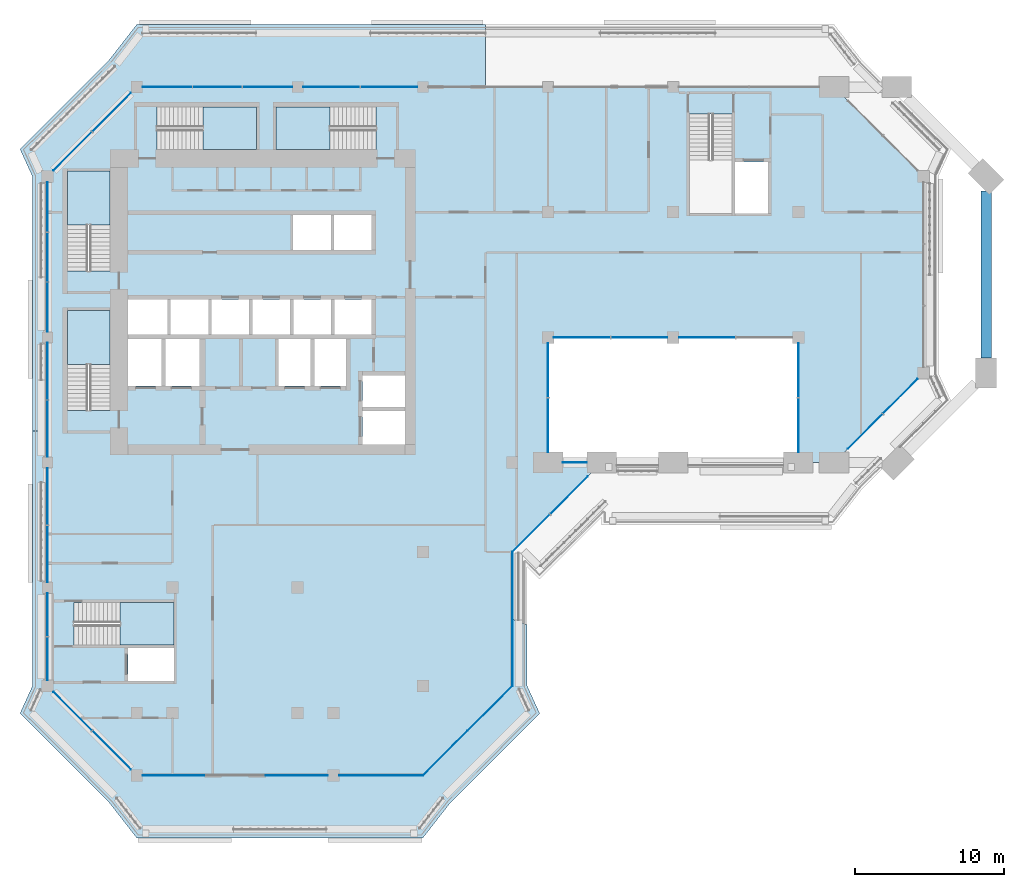
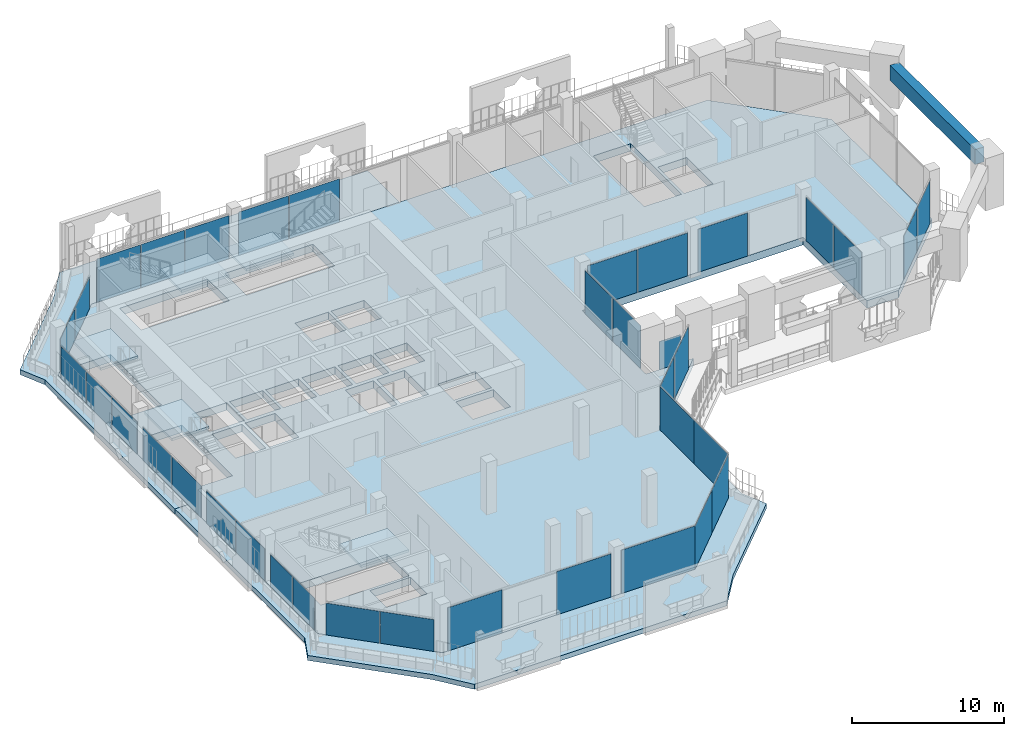
# One storey, part 9 of 23: 37 plates, 8 slabs, 1 beam, 18 elements without a shape of their own.
"""IFC4 building model written with IfcOpenShell, lengths in metres."""

import ifcopenshell
import ifcopenshell.guid

model = None  # the IFC model being written
_history = None  # IfcOwnerHistory: only IFC2X3 demands one
_inside = {}  # id of a spatial element -> (the spatial element, [elements in it])
_under = {}  # id of a project, library or spatial element -> (it, [spatial elements below it])
_declared = {}  # id of a project -> (the project, [libraries it declares])
_typed = {}  # id of a type object -> (the type object, [elements of that type])
_made_of = {}  # id of a material, layer set ... -> (it, [elements and type objects made of it])


def new_model(schema):
    """Start an empty IFC model of exactly this schema.

    Asked for "IFC4X3", IfcOpenShell would pick the latest addendum, in which some entities
    have other attributes; the version numbers below select the first issue.
    IFC2X3 requires an IfcOwnerHistory on every rooted entity: one is made here for all.
    """
    global model, _history
    if schema == "IFC4X3":
        model = ifcopenshell.file(schema_version=(4, 3, 0, 0))
    else:
        model = ifcopenshell.file(schema=schema)
    _inside.clear()
    _under.clear()
    _declared.clear()
    _typed.clear()
    _made_of.clear()
    _history = None
    if model.schema == "IFC2X3":
        org = make("IfcOrganization", Name="unknown")
        user = make(
            "IfcPersonAndOrganization",
            ThePerson=make("IfcPerson", FamilyName="unknown"),
            TheOrganization=org,
        )
        app = make(
            "IfcApplication",
            ApplicationDeveloper=org,
            Version="unknown",
            ApplicationFullName="unknown",
            ApplicationIdentifier="unknown",
        )
        _history = make(
            "IfcOwnerHistory",
            OwningUser=user,
            OwningApplication=app,
            ChangeAction="ADDED",
            CreationDate=0,
        )
    return model


def make(cls, **values):
    """One entity of the class cls with the attributes given. An attribute that is None is left unset."""
    return model.create_entity(
        cls, **{name: value for name, value in values.items() if value is not None}
    )


def rooted(cls, **values):
    """An entity with a GlobalId (a new one), such as an element, a storey or a relation."""
    return make(cls, GlobalId=ifcopenshell.guid.new(), OwnerHistory=_history, **values)


def si_unit(unit_type, name, prefix=None):
    """IfcSIUnit, for example si_unit("LENGTHUNIT", "METRE", prefix="MILLI")."""
    return make("IfcSIUnit", UnitType=unit_type, Prefix=prefix, Name=name)


def assignment(units):
    """IfcUnitAssignment: the units of a project."""
    return None if units is None else make("IfcUnitAssignment", Units=units)


def point(xyz):
    """IfcCartesianPoint."""
    return None if xyz is None else make("IfcCartesianPoint", Coordinates=xyz)


def direction(xyz):
    """IfcDirection."""
    return None if xyz is None else make("IfcDirection", DirectionRatios=xyz)


def frame(location, z_axis=None, x_axis=None):
    """IfcAxis2Placement3D, a coordinate frame: its origin and axes. An axis left out is left unset."""
    return make(
        "IfcAxis2Placement3D",
        Location=point(location),
        Axis=direction(z_axis),
        RefDirection=direction(x_axis),
    )


def frame_2d(location, x_axis=None):
    """IfcAxis2Placement2D, a coordinate frame in the plane: its origin and x axis."""
    return make(
        "IfcAxis2Placement2D", Location=point(location), RefDirection=direction(x_axis)
    )


def origin():
    """The frame at (0, 0, 0) with its axes left unset."""
    return frame((0.0, 0.0, 0.0))


def origin_2d():
    """The frame at (0, 0) in the plane with its x axis left unset."""
    return frame_2d((0.0, 0.0))


def place(relative_to, where):
    """IfcLocalPlacement: puts the frame where relative to a parent placement (None: the world)."""
    return make(
        "IfcLocalPlacement", PlacementRelTo=relative_to, RelativePlacement=where
    )


def context(
    kind, dimensions, precision=None, world=None, true_north=None, identifier=None
):
    """IfcGeometricRepresentationContext, for example the 3D "Model" context."""
    return make(
        "IfcGeometricRepresentationContext",
        ContextIdentifier=identifier,
        ContextType=kind,
        CoordinateSpaceDimension=dimensions,
        Precision=precision,
        WorldCoordinateSystem=world,
        TrueNorth=true_north,
    )


def subcontext(parent, identifier, kind, view, scale=None):
    """IfcGeometricRepresentationSubContext, for example "Body" below "Model"."""
    return make(
        "IfcGeometricRepresentationSubContext",
        ContextIdentifier=identifier,
        ContextType=kind,
        ParentContext=parent,
        TargetScale=scale,
        TargetView=view,
    )


def project(units=None, contexts=None):
    """IfcProject with its units and contexts."""
    return rooted(
        "IfcProject",
        Name="project",
        RepresentationContexts=contexts,
        UnitsInContext=assignment(units),
    )


def spatial(cls, under=None, at=None, **own):
    """A site, building, storey or space (cls), placed at a placement, below another one or the project."""
    s = rooted(cls, ObjectPlacement=at, **own)
    if under is not None:
        _under.setdefault(under.id(), (under, []))[1].append(s)
    return s


def polyline(points):
    """IfcPolyline through the points."""
    return make("IfcPolyline", Points=[point(p) for p in points])


def profile(cls, at=None, kind="AREA", **sizes):
    """A parametric profile (cls). Its sizes go by their IFC names, for example OverallWidth=200.0."""
    return make(cls, ProfileType=kind, Position=at, **sizes)


def rectangle(**sizes):
    """IfcRectangleProfileDef."""
    return profile("IfcRectangleProfileDef", **sizes)


def outline(outer, holes=None, kind="AREA"):
    """IfcArbitraryClosedProfileDef: a profile drawn as a closed curve; with holes, ...WithVoids."""
    if holes is None:
        return make("IfcArbitraryClosedProfileDef", ProfileType=kind, OuterCurve=outer)
    return make(
        "IfcArbitraryProfileDefWithVoids",
        ProfileType=kind,
        OuterCurve=outer,
        InnerCurves=holes,
    )


def extrude(swept, where, along, depth):
    """IfcExtrudedAreaSolid: the profile swept, set in the frame where, extruded along a direction by depth."""
    return make(
        "IfcExtrudedAreaSolid",
        SweptArea=swept,
        Position=where,
        ExtrudedDirection=direction(along),
        Depth=depth,
    )


def shape(context_of_items, identifier, shape_type, items):
    """IfcShapeRepresentation: the items that make up one representation, for example the "Body"."""
    return make(
        "IfcShapeRepresentation",
        ContextOfItems=context_of_items,
        RepresentationIdentifier=identifier,
        RepresentationType=shape_type,
        Items=items,
    )


def material(Name=None, Category=None):
    """IfcMaterial."""
    return make("IfcMaterial", Name=Name, Category=Category)


def layer(
    of_material, thickness, ventilated=None, Name=None, Category=None, Priority=None
):
    """IfcMaterialLayer: one layer of a wall or slab, of a material (None: an air gap)."""
    return make(
        "IfcMaterialLayer",
        Material=of_material,
        LayerThickness=thickness,
        IsVentilated=ventilated,
        Name=Name,
        Category=Category,
        Priority=Priority,
    )


def layer_set(layers, Name=None):
    """IfcMaterialLayerSet."""
    return make("IfcMaterialLayerSet", MaterialLayers=layers, LayerSetName=Name)


def material_profile(
    of_material, cross_section, Name=None, Category=None, Priority=None
):
    """IfcMaterialProfile: a cross section and its material."""
    return make(
        "IfcMaterialProfile",
        Name=Name,
        Material=of_material,
        Profile=cross_section,
        Priority=Priority,
        Category=Category,
    )


def profile_set(profiles, Name=None, composite=None):
    """IfcMaterialProfileSet."""
    return make(
        "IfcMaterialProfileSet",
        Name=Name,
        MaterialProfiles=profiles,
        CompositeProfile=composite,
    )


def made_of(thing, what):
    """Note that an element or type object is made of a material, layer set ...; save() writes the relation."""
    if what is not None:
        _made_of.setdefault(what.id(), (what, []))[1].append(thing)
    return thing


def type_object(cls, material=None, **own):
    """A type object (cls), such as IfcWallType, which elements share."""
    return made_of(rooted(cls, **own), material)


def element(
    cls,
    number,
    at=None,
    inside=None,
    cuts=None,
    type_object=None,
    material=None,
    context=None,
    identifier="Body",
    shape_type=None,
    held_by="IfcProductDefinitionShape",
    body=None,
    shapes=None,
    **own,
):
    """One element of the class cls, such as IfcWall. Its Tag is "e" and its number.

    at: its placement. inside: the storey or other place that contains it. cuts: it is an
    opening in that element (IfcRelVoidsElement). A single representation is given by context,
    identifier, shape_type and body (its items); several are given by shapes. held_by: the class
    of the entity that holds the representations. save() writes the other relations.
    """
    e = rooted(cls, Tag="e%d" % number, ObjectPlacement=at, **own)
    if body is not None:
        shapes = [shape(context, identifier, shape_type, body)]
    if shapes is not None:
        e.Representation = make(held_by, Representations=shapes)
    if inside is not None:
        _inside.setdefault(inside.id(), (inside, []))[1].append(e)
    if cuts is not None:
        rooted(
            "IfcRelVoidsElement", RelatingBuildingElement=cuts, RelatedOpeningElement=e
        )
    if type_object is not None:
        _typed.setdefault(type_object.id(), (type_object, []))[1].append(e)
    return made_of(e, material)


def aggregate(whole, parts):
    """IfcRelAggregates: a whole, such as a stair, and the parts it consists of."""
    return rooted("IfcRelAggregates", RelatingObject=whole, RelatedObjects=parts)


def save(model, path):
    """Write the relations noted so far, then the file.

    IfcRelAggregates (storeys below a building ...), IfcRelContainedInSpatialStructure (elements
    in a storey), IfcRelDefinesByType, IfcRelAssociatesMaterial and IfcRelDeclares: one each for
    every whole, place, type object, material and project.
    """
    for whole, parts in _under.values():
        aggregate(whole, parts)
    for where, things in _inside.values():
        rooted(
            "IfcRelContainedInSpatialStructure",
            RelatedElements=things,
            RelatingStructure=where,
        )
    for kind, things in _typed.values():
        rooted("IfcRelDefinesByType", RelatedObjects=things, RelatingType=kind)
    for what, things in _made_of.values():
        rooted("IfcRelAssociatesMaterial", RelatedObjects=things, RelatingMaterial=what)
    for by, libraries in _declared.values():
        rooted("IfcRelDeclares", RelatingContext=by, RelatedDefinitions=libraries)
    model.write(path)


model = new_model("IFC4")

# Units and contexts
model_context = context("Model", 3, precision=1e-05, world=origin(), true_north=direction((0.0, 1.0)))
body_context = subcontext(model_context, "Body", "Model", "MODEL_VIEW")
ifc_project = project(units=[si_unit("LENGTHUNIT", "METRE"), si_unit("AREAUNIT", "SQUARE_METRE"), si_unit("VOLUMEUNIT", "CUBIC_METRE"), si_unit("PLANEANGLEUNIT", "RADIAN"), si_unit("MASSUNIT", "GRAM", prefix="KILO")], contexts=[model_context])

# Site, building, storey
site_placement = place(None, origin())
site = spatial("IfcSite", under=ifc_project, at=site_placement, CompositionType="ELEMENT")
building_placement = place(site_placement, origin())
building = spatial("IfcBuilding", under=site, at=building_placement, Name="Kawkab Arch Medical Tower", CompositionType="ELEMENT")
storey_placement = place(building_placement, frame((0.0, 0.0, 281.800048828125)))
storey = spatial("IfcBuildingStorey", under=building, at=storey_placement, Name="L65", CompositionType="ELEMENT", Elevation=281.800048828125)

# Beam
ifc_material_1 = material(Name="Concrete C40/50", Category="concrete")
ifc_material_profile = material_profile(ifc_material_1, rectangle(XDim=0.699951171875, YDim=1.199951171875, at=origin_2d()), Name="RC 700x1200")
ifc_profile_set = profile_set([ifc_material_profile], Name="Concrete C40/50")
beam_type = type_object("IfcBeamType", Name="RC 700x1200 beam C40/50", PredefinedType="BEAM", material=ifc_profile_set)
beam_placement = place(storey_placement, frame((63.0, -6.989990234375, 3.0), z_axis=(0.0, -1.0, 0.0), x_axis=(1.0, 0.0, 0.0)))
element("IfcBeam", 1, at=beam_placement, inside=storey, type_object=beam_type, Name="Terrace frame beam TF-L64-2-L66-03", PredefinedType="BEAM", context=body_context, shape_type="SweptSolid", body=[
    extrude(rectangle(XDim=0.699951171875, YDim=1.199951171875, at=origin_2d()), origin(), (0.0, 0.0, 1.0), 11.2099609375),
])

# Curtain wall, plates
ifc_material_2 = material(Name="Bronze anodised aluminium curtain wall frame", Category="aluminium")
ifc_layer_1 = layer(ifc_material_2, 0.159912109375)
ifc_layer_set_1 = layer_set([ifc_layer_1], Name="Bronze anodised aluminium curtain wall frame")
curtain_wall_type_1 = type_object("IfcCurtainWallType", Name="CW1 ward curtain wall", PredefinedType="NOTDEFINED", material=ifc_layer_set_1)
placement_1 = place(storey_placement, origin())
curtain_wall_1 = element("IfcCurtainWall", 2, at=placement_1, inside=storey, type_object=curtain_wall_type_1, Name="CW1 Ward curtain wall R10", PredefinedType="NOTDEFINED")
ifc_material_3 = material(Name="Tinted insulating glass, bronze low-e coating", Category="glass")
ifc_layer_2 = layer(ifc_material_3, 0.031982421875)
ifc_layer_set_2 = layer_set([ifc_layer_2], Name="Tinted insulating glass, bronze low-e coating")
plate_type_1 = type_object("IfcPlateType", Name="CW1 glazing unit 32", PredefinedType="CURTAIN_PANEL", material=ifc_layer_set_2)
plate_1_placement = place(storey_placement, frame((22.927490234375, 0.0, 0.0), z_axis=(0.0, 0.0, 1.0), x_axis=(-1.0, 0.0, 0.0)))
plate_1 = element("IfcPlate", 3, at=plate_1_placement, type_object=plate_type_1, Name="CW1 glazing unit 4.1", PredefinedType="CURTAIN_PANEL", context=body_context, shape_type="SweptSolid", body=[
    extrude(rectangle(XDim=3.794921875, YDim=0.031982421875, at=origin_2d()), origin(), (0.0, 0.0, 1.0), 3.47998046875),
])
plate_2_placement = place(storey_placement, frame((19.072509765625, 0.0, 0.0), z_axis=(0.0, 0.0, 1.0), x_axis=(-1.0, 0.0, 0.0)))
plate_2 = element("IfcPlate", 4, at=plate_2_placement, type_object=plate_type_1, Name="CW1 glazing unit 4.2", PredefinedType="CURTAIN_PANEL", context=body_context, shape_type="SweptSolid", body=[
    extrude(rectangle(XDim=3.794921875, YDim=0.031982421875, at=origin_2d()), origin(), (0.0, 0.0, 1.0), 3.47998046875),
])
plate_3_placement = place(storey_placement, frame((14.769287109375, 0.0, 0.0), z_axis=(0.0, 0.0, 1.0), x_axis=(-1.0, 0.0, 0.0)))
plate_3 = element("IfcPlate", 5, at=plate_3_placement, type_object=plate_type_1, Name="CW1 glazing unit 5.1", PredefinedType="CURTAIN_PANEL", context=body_context, shape_type="SweptSolid", body=[
    extrude(rectangle(XDim=3.311767578125, YDim=0.031982421875, at=origin_2d()), origin(), (0.0, 0.0, 1.0), 3.47998046875),
])
plate_4_placement = place(storey_placement, frame((11.41259765625, 0.0, 0.0), z_axis=(0.0, 0.0, 1.0), x_axis=(-1.0, 0.0, 0.0)))
plate_4 = element("IfcPlate", 6, at=plate_4_placement, type_object=plate_type_1, Name="CW1 glazing unit 5.2", PredefinedType="CURTAIN_PANEL", context=body_context, shape_type="SweptSolid", body=[
    extrude(rectangle(XDim=3.28173828125, YDim=0.031982421875, at=origin_2d()), origin(), (0.0, 0.0, 1.0), 3.47998046875),
])
plate_5_placement = place(storey_placement, frame((8.055908203125, 0.0, 0.0), z_axis=(0.0, 0.0, 1.0), x_axis=(-1.0, 0.0, 0.0)))
plate_5 = element("IfcPlate", 7, at=plate_5_placement, type_object=plate_type_1, Name="CW1 glazing unit 5.3", PredefinedType="CURTAIN_PANEL", context=body_context, shape_type="SweptSolid", body=[
    extrude(rectangle(XDim=3.311767578125, YDim=0.031982421875, at=origin_2d()), origin(), (0.0, 0.0, 1.0), 3.47998046875),
])
aggregate(curtain_wall_1, [plate_1, plate_2, plate_3, plate_4, plate_5])

curtain_wall_2 = element("IfcCurtainWall", 8, at=placement_1, inside=storey, type_object=curtain_wall_type_1, Name="CW1 Ward curtain wall R12", PredefinedType="NOTDEFINED")
plate_6_placement = place(storey_placement, frame((0.0, -8.055908203125, 0.0), z_axis=(0.0, 0.0, 1.0), x_axis=(0.0, -1.0, 0.0)))
plate_6 = element("IfcPlate", 9, at=plate_6_placement, type_object=plate_type_1, Name="CW1 glazing unit 1.1", PredefinedType="CURTAIN_PANEL", context=body_context, shape_type="SweptSolid", body=[
    extrude(rectangle(XDim=3.311767578125, YDim=0.031982421875, at=origin_2d()), origin(), (0.0, 0.0, 1.0), 2.580078125),
])
plate_7_placement = place(storey_placement, frame((0.0, -11.41259765625, 0.0), z_axis=(0.0, 0.0, 1.0), x_axis=(0.0, -1.0, 0.0)))
plate_7 = element("IfcPlate", 10, at=plate_7_placement, type_object=plate_type_1, Name="CW1 glazing unit 1.2", PredefinedType="CURTAIN_PANEL", context=body_context, shape_type="SweptSolid", body=[
    extrude(rectangle(XDim=3.28173828125, YDim=0.031982421875, at=origin_2d()), origin(), (0.0, 0.0, 1.0), 2.580078125),
])
plate_8_placement = place(storey_placement, frame((0.0, -14.769287109375, 0.0), z_axis=(0.0, 0.0, 1.0), x_axis=(0.0, -1.0, 0.0)))
plate_8 = element("IfcPlate", 11, at=plate_8_placement, type_object=plate_type_1, Name="CW1 glazing unit 1.3", PredefinedType="CURTAIN_PANEL", context=body_context, shape_type="SweptSolid", body=[
    extrude(rectangle(XDim=3.311767578125, YDim=0.031982421875, at=origin_2d()), origin(), (0.0, 0.0, 1.0), 2.580078125),
])
plate_9_placement = place(storey_placement, frame((0.0, -19.072509765625, 0.0), z_axis=(0.0, 0.0, 1.0), x_axis=(0.0, -1.0, 0.0)))
plate_9 = element("IfcPlate", 12, at=plate_9_placement, type_object=plate_type_1, Name="CW1 glazing unit 2.1", PredefinedType="CURTAIN_PANEL", context=body_context, shape_type="SweptSolid", body=[
    extrude(rectangle(XDim=3.794921875, YDim=0.031982421875, at=origin_2d()), origin(), (0.0, 0.0, 1.0), 2.580078125),
])
plate_10_placement = place(storey_placement, frame((0.0, -22.927490234375, 0.0), z_axis=(0.0, 0.0, 1.0), x_axis=(0.0, -1.0, 0.0)))
plate_10 = element("IfcPlate", 13, at=plate_10_placement, type_object=plate_type_1, Name="CW1 glazing unit 2.2", PredefinedType="CURTAIN_PANEL", context=body_context, shape_type="SweptSolid", body=[
    extrude(rectangle(XDim=3.794921875, YDim=0.031982421875, at=origin_2d()), origin(), (0.0, 0.0, 1.0), 2.580078125),
])
plate_11_placement = place(storey_placement, frame((0.0, -27.472412109375, 0.0), z_axis=(0.0, 0.0, 1.0), x_axis=(0.0, -1.0, 0.0)))
plate_11 = element("IfcPlate", 14, at=plate_11_placement, type_object=plate_type_1, Name="CW1 glazing unit 3.1", PredefinedType="CURTAIN_PANEL", context=body_context, shape_type="SweptSolid", body=[
    extrude(rectangle(XDim=3.794921875, YDim=0.031982421875, at=origin_2d()), origin(), (0.0, 0.0, 1.0), 2.580078125),
])
plate_12_placement = place(storey_placement, frame((0.0, -31.327392578125, 0.0), z_axis=(0.0, 0.0, 1.0), x_axis=(0.0, -1.0, 0.0)))
plate_12 = element("IfcPlate", 15, at=plate_12_placement, type_object=plate_type_1, Name="CW1 glazing unit 3.2", PredefinedType="CURTAIN_PANEL", context=body_context, shape_type="SweptSolid", body=[
    extrude(rectangle(XDim=3.794921875, YDim=0.031982421875, at=origin_2d()), origin(), (0.0, 0.0, 1.0), 2.580078125),
])
plate_13_placement = place(storey_placement, frame((0.0, -35.416259765625, 0.0), z_axis=(0.0, 0.0, 1.0), x_axis=(0.0, -1.0, 0.0)))
plate_13 = element("IfcPlate", 16, at=plate_13_placement, type_object=plate_type_1, Name="CW1 glazing unit 4.1", PredefinedType="CURTAIN_PANEL", context=body_context, shape_type="SweptSolid", body=[
    extrude(rectangle(XDim=2.882568359375, YDim=0.031982421875, at=origin_2d()), origin(), (0.0, 0.0, 1.0), 2.580078125),
])
plate_14_placement = place(storey_placement, frame((0.0, -38.358642578125, 0.0), z_axis=(0.0, 0.0, 1.0), x_axis=(0.0, -1.0, 0.0)))
plate_14 = element("IfcPlate", 17, at=plate_14_placement, type_object=plate_type_1, Name="CW1 glazing unit 4.2", PredefinedType="CURTAIN_PANEL", context=body_context, shape_type="SweptSolid", body=[
    extrude(rectangle(XDim=2.882568359375, YDim=0.031982421875, at=origin_2d()), origin(), (0.0, 0.0, 1.0), 2.580078125),
])
aggregate(curtain_wall_2, [plate_6, plate_7, plate_8, plate_9, plate_10, plate_11, plate_12, plate_13, plate_14])

curtain_wall_3 = element("IfcCurtainWall", 18, at=placement_1, inside=storey, type_object=curtain_wall_type_1, Name="CW1 Ward curtain wall R14", PredefinedType="NOTDEFINED")
plate_15_placement = place(storey_placement, frame((8.466552734375, -46.199951171875, 0.0), z_axis=(0.0, 0.0, 1.0), x_axis=(1.0, 0.0, 0.0)))
plate_15 = element("IfcPlate", 19, at=plate_15_placement, type_object=plate_type_1, Name="CW1 glazing unit 1.1", PredefinedType="CURTAIN_PANEL", context=body_context, shape_type="SweptSolid", body=[
    extrude(rectangle(XDim=4.13330078125, YDim=0.031982421875, at=origin_2d()), origin(), (0.0, 0.0, 1.0), 3.47998046875),
])
plate_16_placement = place(storey_placement, frame((16.7333984375, -46.199951171875, 0.0), z_axis=(0.0, 0.0, 1.0), x_axis=(1.0, 0.0, 0.0)))
plate_16 = element("IfcPlate", 20, at=plate_16_placement, type_object=plate_type_1, Name="CW1 glazing unit 1.3", PredefinedType="CURTAIN_PANEL", context=body_context, shape_type="SweptSolid", body=[
    extrude(rectangle(XDim=4.13330078125, YDim=0.031982421875, at=origin_2d()), origin(), (0.0, 0.0, 1.0), 3.47998046875),
])
plate_17_placement = place(storey_placement, frame((22.39990234375, -46.199951171875, 0.0), z_axis=(0.0, 0.0, 1.0), x_axis=(1.0, 0.0, 0.0)))
plate_17 = element("IfcPlate", 21, at=plate_17_placement, type_object=plate_type_1, Name="CW1 glazing unit 2.1", PredefinedType="CURTAIN_PANEL", context=body_context, shape_type="SweptSolid", body=[
    extrude(rectangle(XDim=5.60009765625, YDim=0.031982421875, at=origin_2d()), origin(), (0.0, 0.0, 1.0), 3.47998046875),
])
aggregate(curtain_wall_3, [plate_15, plate_16, plate_17])

curtain_wall_4 = element("IfcCurtainWall", 22, at=placement_1, inside=storey, type_object=curtain_wall_type_1, Name="CW1 Ward curtain wall R16", PredefinedType="NOTDEFINED")
plate_18_placement = place(storey_placement, frame((31.199951171875, -37.949951171875, 0.0), z_axis=(0.0, 0.0, 1.0), x_axis=(0.0, 1.0, 0.0)))
plate_18 = element("IfcPlate", 23, at=plate_18_placement, type_object=plate_type_1, Name="CW1 glazing unit 1.1", PredefinedType="CURTAIN_PANEL", context=body_context, shape_type="SweptSolid", body=[
    extrude(rectangle(XDim=4.5, YDim=0.031982421875, at=origin_2d()), origin(), (0.0, 0.0, 1.0), 3.47998046875),
])
plate_19_placement = place(storey_placement, frame((31.199951171875, -33.449951171875, 0.0), z_axis=(0.0, 0.0, 1.0), x_axis=(0.0, 1.0, 0.0)))
plate_19 = element("IfcPlate", 24, at=plate_19_placement, type_object=plate_type_1, Name="CW1 glazing unit 2.1", PredefinedType="CURTAIN_PANEL", context=body_context, shape_type="SweptSolid", body=[
    extrude(rectangle(XDim=4.5, YDim=0.031982421875, at=origin_2d()), origin(), (0.0, 0.0, 1.0), 3.47998046875),
])
aggregate(curtain_wall_4, [plate_18, plate_19])

ifc_material_4 = material(Name="Bronze anodised aluminium curtain wall frame", Category="aluminium")
ifc_layer_3 = layer(ifc_material_4, 0.159912109375)
ifc_layer_set_3 = layer_set([ifc_layer_3], Name="Bronze anodised aluminium curtain wall frame")
curtain_wall_type_2 = type_object("IfcCurtainWallType", Name="CW2 chamfer curtain wall", PredefinedType="NOTDEFINED", material=ifc_layer_set_3)
curtain_wall_5 = element("IfcCurtainWall", 25, at=placement_1, inside=storey, type_object=curtain_wall_type_2, Name="CW2 Chamfer curtain wall R01", PredefinedType="NOTDEFINED")
ifc_material_5 = material(Name="Tinted insulating glass, bronze low-e coating", Category="glass")
ifc_layer_4 = layer(ifc_material_5, 0.031982421875)
ifc_layer_set_4 = layer_set([ifc_layer_4], Name="Tinted insulating glass, bronze low-e coating")
plate_type_2 = type_object("IfcPlateType", Name="CW2 glazing unit 32", PredefinedType="CURTAIN_PANEL", material=ifc_layer_set_4)
plate_20_placement = place(storey_placement, frame((32.456787109375, -29.943115234375, 0.0), z_axis=(0.0, 0.0, 1.0), x_axis=(0.707106781187, 0.707106781187, 0.0)))
plate_20 = element("IfcPlate", 26, at=plate_20_placement, type_object=plate_type_2, Name="CW2 glazing unit 1.1", PredefinedType="CURTAIN_PANEL", context=body_context, shape_type="SweptSolid", body=[
    extrude(rectangle(XDim=3.5546875, YDim=0.031982421875, at=origin_2d()), origin(), (0.0, 0.0, 1.0), 3.4599609375),
])
plate_21_placement = place(storey_placement, frame((35.012939453125, -27.38720703125, 0.0), z_axis=(0.0, 0.0, 1.0), x_axis=(0.707106781187, 0.707106781187, 0.0)))
plate_21 = element("IfcPlate", 27, at=plate_21_placement, type_object=plate_type_2, Name="CW2 glazing unit 1.2", PredefinedType="CURTAIN_PANEL", context=body_context, shape_type="SweptSolid", body=[
    extrude(rectangle(XDim=3.5546875, YDim=0.031982421875, at=origin_2d()), origin(), (0.0, 0.0, 1.0), 3.4599609375),
])
aggregate(curtain_wall_5, [plate_20, plate_21])

curtain_wall_6 = element("IfcCurtainWall", 28, at=placement_1, inside=storey, type_object=curtain_wall_type_2, Name="CW2 Chamfer curtain wall R07", PredefinedType="NOTDEFINED")
plate_22_placement = place(storey_placement, frame((54.88720703125, -23.11279296875, 0.0), z_axis=(0.0, 0.0, 1.0), x_axis=(0.707106781187, 0.707106781187, 0.0)))
plate_22 = element("IfcPlate", 29, at=plate_22_placement, type_object=plate_type_2, Name="CW2 glazing unit 1.1", PredefinedType="CURTAIN_PANEL", context=body_context, shape_type="SweptSolid", body=[
    extrude(rectangle(XDim=3.27197265625, YDim=0.031982421875, at=origin_2d()), origin(), (0.0, 0.0, 1.0), 3.4599609375),
])
plate_23_placement = place(storey_placement, frame((57.2431640625, -20.7568359375, 0.0), z_axis=(0.0, 0.0, 1.0), x_axis=(0.707106781187, 0.707106781187, 0.0)))
plate_23 = element("IfcPlate", 30, at=plate_23_placement, type_object=plate_type_2, Name="CW2 glazing unit 1.2", PredefinedType="CURTAIN_PANEL", context=body_context, shape_type="SweptSolid", body=[
    extrude(rectangle(XDim=3.27197265625, YDim=0.031982421875, at=origin_2d()), origin(), (0.0, 0.0, 1.0), 3.4599609375),
])
aggregate(curtain_wall_6, [plate_22, plate_23])

curtain_wall_7 = element("IfcCurtainWall", 31, at=placement_1, inside=storey, type_object=curtain_wall_type_2, Name="CW2 Chamfer curtain wall R11", PredefinedType="NOTDEFINED")
plate_24_placement = place(storey_placement, frame((4.310546875, -1.689453125, 0.0), z_axis=(0.0, 0.0, 1.0), x_axis=(-0.707106781187, -0.707106781187, 0.0)))
plate_24 = element("IfcPlate", 32, at=plate_24_placement, type_object=plate_type_2, Name="CW2 glazing unit 1.1", PredefinedType="CURTAIN_PANEL", context=body_context, shape_type="SweptSolid", body=[
    extrude(rectangle(XDim=3.64697265625, YDim=0.031982421875, at=origin_2d()), origin(), (0.0, 0.0, 1.0), 2.56005859375),
])
plate_25_placement = place(storey_placement, frame((1.689453125, -4.310546875, 0.0), z_axis=(0.0, 0.0, 1.0), x_axis=(-0.707106781187, -0.707106781187, 0.0)))
plate_25 = element("IfcPlate", 33, at=plate_25_placement, type_object=plate_type_2, Name="CW2 glazing unit 1.2", PredefinedType="CURTAIN_PANEL", context=body_context, shape_type="SweptSolid", body=[
    extrude(rectangle(XDim=3.64697265625, YDim=0.031982421875, at=origin_2d()), origin(), (0.0, 0.0, 1.0), 2.56005859375),
])
aggregate(curtain_wall_7, [plate_24, plate_25])

curtain_wall_8 = element("IfcCurtainWall", 34, at=placement_1, inside=storey, type_object=curtain_wall_type_2, Name="CW2 Chamfer curtain wall R13", PredefinedType="NOTDEFINED")
plate_26_placement = place(storey_placement, frame((1.689453125, -41.889404296875, 0.0), z_axis=(0.0, 0.0, 1.0), x_axis=(0.707106781187, -0.707106781187, 0.0)))
plate_26 = element("IfcPlate", 35, at=plate_26_placement, type_object=plate_type_2, Name="CW2 glazing unit 1.1", PredefinedType="CURTAIN_PANEL", context=body_context, shape_type="SweptSolid", body=[
    extrude(rectangle(XDim=3.64697265625, YDim=0.031982421875, at=origin_2d()), origin(), (0.0, 0.0, 1.0), 2.56005859375),
])
plate_27_placement = place(storey_placement, frame((4.310546875, -44.510498046875, 0.0), z_axis=(0.0, 0.0, 1.0), x_axis=(0.707106781187, -0.707106781187, 0.0)))
plate_27 = element("IfcPlate", 36, at=plate_27_placement, type_object=plate_type_2, Name="CW2 glazing unit 1.2", PredefinedType="CURTAIN_PANEL", context=body_context, shape_type="SweptSolid", body=[
    extrude(rectangle(XDim=3.64697265625, YDim=0.031982421875, at=origin_2d()), origin(), (0.0, 0.0, 1.0), 2.56005859375),
])
aggregate(curtain_wall_8, [plate_26, plate_27])

curtain_wall_9 = element("IfcCurtainWall", 37, at=placement_1, inside=storey, type_object=curtain_wall_type_2, Name="CW2 Chamfer curtain wall R15", PredefinedType="NOTDEFINED")
plate_28_placement = place(storey_placement, frame((26.699951171875, -44.699951171875, 0.0), z_axis=(0.0, 0.0, 1.0), x_axis=(0.707106781187, 0.707106781187, 0.0)))
plate_28 = element("IfcPlate", 38, at=plate_28_placement, type_object=plate_type_2, Name="CW2 glazing unit 1.1", PredefinedType="CURTAIN_PANEL", context=body_context, shape_type="SweptSolid", body=[
    extrude(rectangle(XDim=4.24267578125, YDim=0.031982421875, at=origin_2d()), origin(), (0.0, 0.0, 1.0), 3.4599609375),
])
plate_29_placement = place(storey_placement, frame((29.699951171875, -41.699951171875, 0.0), z_axis=(0.0, 0.0, 1.0), x_axis=(0.707106781187, 0.707106781187, 0.0)))
plate_29 = element("IfcPlate", 39, at=plate_29_placement, type_object=plate_type_2, Name="CW2 glazing unit 2.1", PredefinedType="CURTAIN_PANEL", context=body_context, shape_type="SweptSolid", body=[
    extrude(rectangle(XDim=4.24267578125, YDim=0.031982421875, at=origin_2d()), origin(), (0.0, 0.0, 1.0), 3.4599609375),
])
aggregate(curtain_wall_9, [plate_28, plate_29])

# Curtain wall, plate
ifc_material_6 = material(Name="Bronze anodised aluminium curtain wall frame", Category="aluminium")
ifc_layer_5 = layer(ifc_material_6, 0.159912109375)
ifc_layer_set_5 = layer_set([ifc_layer_5], Name="Bronze anodised aluminium curtain wall frame")
curtain_wall_type_3 = type_object("IfcCurtainWallType", Name="CW3 sky garden curtain wall", PredefinedType="NOTDEFINED", material=ifc_layer_set_5)
curtain_wall_10 = element("IfcCurtainWall", 40, at=placement_1, inside=storey, type_object=curtain_wall_type_3, Name="CW3 Sky garden curtain wall R02", PredefinedType="NOTDEFINED")
ifc_material_7 = material(Name="Tinted laminated insulating glass, grey-green", Category="glass")
ifc_layer_6 = layer(ifc_material_7, 0.035888671875)
ifc_layer_set_6 = layer_set([ifc_layer_6], Name="Tinted laminated insulating glass, grey-green")
plate_type_3 = type_object("IfcPlateType", Name="CW3 glazing unit 36", PredefinedType="CURTAIN_PANEL", material=ifc_layer_set_6)
plate_30_placement = place(storey_placement, frame((35.39990234375, -25.199951171875, 0.0), z_axis=(0.0, 0.0, 1.0), x_axis=(-1.0, 0.0, 0.0)))
plate_30 = element("IfcPlate", 41, at=plate_30_placement, type_object=plate_type_3, Name="CW3 glazing unit 1.1", PredefinedType="CURTAIN_PANEL", context=body_context, shape_type="SweptSolid", body=[
    extrude(rectangle(XDim=1.60009765625, YDim=0.035888671875, at=origin_2d()), origin(), (0.0, 0.0, 1.0), 2.260009765625),
])
aggregate(curtain_wall_10, [plate_30])

# Curtain wall, plates
curtain_wall_11 = element("IfcCurtainWall", 42, at=placement_1, inside=storey, type_object=curtain_wall_type_3, Name="CW3 Sky garden curtain wall R03", PredefinedType="NOTDEFINED")
plate_31_placement = place(storey_placement, frame((33.60009765625, -22.6923828125, 0.0), z_axis=(0.0, 0.0, 1.0), x_axis=(0.0, 1.0, 0.0)))
plate_31 = element("IfcPlate", 43, at=plate_31_placement, type_object=plate_type_3, Name="CW3 glazing unit 1.1", PredefinedType="CURTAIN_PANEL", context=body_context, shape_type="SweptSolid", body=[
    extrude(rectangle(XDim=3.614990234375, YDim=0.035888671875, at=origin_2d()), origin(), (0.0, 0.0, 1.0), 3.4599609375),
])
plate_32_placement = place(storey_placement, frame((33.60009765625, -19.007568359375, 0.0), z_axis=(0.0, 0.0, 1.0), x_axis=(0.0, 1.0, 0.0)))
plate_32 = element("IfcPlate", 44, at=plate_32_placement, type_object=plate_type_3, Name="CW3 glazing unit 1.2", PredefinedType="CURTAIN_PANEL", context=body_context, shape_type="SweptSolid", body=[
    extrude(rectangle(XDim=3.614990234375, YDim=0.035888671875, at=origin_2d()), origin(), (0.0, 0.0, 1.0), 3.4599609375),
])
aggregate(curtain_wall_11, [plate_31, plate_32])

curtain_wall_12 = element("IfcCurtainWall", 45, at=placement_1, inside=storey, type_object=curtain_wall_type_3, Name="CW3 Sky garden curtain wall R04", PredefinedType="NOTDEFINED")
plate_33_placement = place(storey_placement, frame((35.882568359375, -16.800048828125, 0.0), z_axis=(0.0, 0.0, 1.0), x_axis=(1.0, 0.0, 0.0)))
plate_33 = element("IfcPlate", 46, at=plate_33_placement, type_object=plate_type_3, Name="CW3 glazing unit 1.1", PredefinedType="CURTAIN_PANEL", context=body_context, shape_type="SweptSolid", body=[
    extrude(rectangle(XDim=3.764892578125, YDim=0.035888671875, at=origin_2d()), origin(), (0.0, 0.0, 1.0), 3.4599609375),
])
plate_34_placement = place(storey_placement, frame((39.717529296875, -16.800048828125, 0.0), z_axis=(0.0, 0.0, 1.0), x_axis=(1.0, 0.0, 0.0)))
plate_34 = element("IfcPlate", 47, at=plate_34_placement, type_object=plate_type_3, Name="CW3 glazing unit 1.2", PredefinedType="CURTAIN_PANEL", context=body_context, shape_type="SweptSolid", body=[
    extrude(rectangle(XDim=3.764892578125, YDim=0.035888671875, at=origin_2d()), origin(), (0.0, 0.0, 1.0), 3.4599609375),
])
plate_35_placement = place(storey_placement, frame((44.282470703125, -16.800048828125, 0.0), z_axis=(0.0, 0.0, 1.0), x_axis=(1.0, 0.0, 0.0)))
plate_35 = element("IfcPlate", 48, at=plate_35_placement, type_object=plate_type_3, Name="CW3 glazing unit 2.1", PredefinedType="CURTAIN_PANEL", context=body_context, shape_type="SweptSolid", body=[
    extrude(rectangle(XDim=3.764892578125, YDim=0.035888671875, at=origin_2d()), origin(), (0.0, 0.0, 1.0), 3.4599609375),
])
aggregate(curtain_wall_12, [plate_33, plate_34, plate_35])

curtain_wall_13 = element("IfcCurtainWall", 49, at=placement_1, inside=storey, type_object=curtain_wall_type_3, Name="CW3 Sky garden curtain wall R05", PredefinedType="NOTDEFINED")
plate_36_placement = place(storey_placement, frame((50.39990234375, -19.007568359375, 0.0), z_axis=(0.0, 0.0, 1.0), x_axis=(0.0, -1.0, 0.0)))
plate_36 = element("IfcPlate", 50, at=plate_36_placement, type_object=plate_type_3, Name="CW3 glazing unit 1.1", PredefinedType="CURTAIN_PANEL", context=body_context, shape_type="SweptSolid", body=[
    extrude(rectangle(XDim=3.614990234375, YDim=0.035888671875, at=origin_2d()), origin(), (0.0, 0.0, 1.0), 3.4599609375),
])
plate_37_placement = place(storey_placement, frame((50.39990234375, -22.6923828125, 0.0), z_axis=(0.0, 0.0, 1.0), x_axis=(0.0, -1.0, 0.0)))
plate_37 = element("IfcPlate", 51, at=plate_37_placement, type_object=plate_type_3, Name="CW3 glazing unit 1.2", PredefinedType="CURTAIN_PANEL", context=body_context, shape_type="SweptSolid", body=[
    extrude(rectangle(XDim=3.614990234375, YDim=0.035888671875, at=origin_2d()), origin(), (0.0, 0.0, 1.0), 3.4599609375),
])
aggregate(curtain_wall_13, [plate_36, plate_37])

# Stair, slab
ifc_material_8 = material(Name="Concrete C40/50", Category="concrete")
stair_type = type_object("IfcStairType", Name="Exit stair 1350", PredefinedType="HALF_TURN_STAIR", material=ifc_material_8)
stair_1 = element("IfcStair", 52, at=placement_1, inside=storey, type_object=stair_type, Name="L65 Exit stair ST1", PredefinedType="HALF_TURN_STAIR")
ifc_material_9 = material(Name="Concrete C40/50", Category="concrete")
ifc_layer_7 = layer(ifc_material_9, 0.199951171875)
ifc_layer_set_7 = layer_set([ifc_layer_7], Name="Concrete C40/50")
slab_type_1 = type_object("IfcSlabType", Name="Exit stair landing 200", PredefinedType="LANDING", material=ifc_layer_set_7)
placement_2 = place(storey_placement, frame((0.0, 0.0, 1.89990234375)))
slab_1 = element("IfcSlab", 53, at=placement_2, type_object=slab_type_1, Name="ST1 landing 1", PredefinedType="LANDING", context=body_context, shape_type="SweptSolid", body=[
    extrude(outline(polyline([(4.199951171875, -9.27001953125), (4.199951171875, -5.64990234375), (1.35009765625, -5.64990234375), (1.35009765625, -9.27001953125), (4.199951171875, -9.27001953125)])), origin(), (0.0, 0.0, 1.0), 0.199951171875),
])
aggregate(stair_1, [slab_1])

stair_2 = element("IfcStair", 54, at=placement_1, inside=storey, type_object=stair_type, Name="L65 Exit stair ST2", PredefinedType="HALF_TURN_STAIR")
slab_2 = element("IfcSlab", 55, at=placement_2, type_object=slab_type_1, Name="ST2 landing 1", PredefinedType="LANDING", context=body_context, shape_type="SweptSolid", body=[
    extrude(outline(polyline([(4.199951171875, -18.6201171875), (4.199951171875, -15.0), (1.35009765625, -15.0), (1.35009765625, -18.6201171875), (4.199951171875, -18.6201171875)])), origin(), (0.0, 0.0, 1.0), 0.199951171875),
])
aggregate(stair_2, [slab_2])

stair_3 = element("IfcStair", 56, at=placement_1, inside=storey, type_object=stair_type, Name="L65 Exit stair ST3", PredefinedType="HALF_TURN_STAIR")
slab_3 = element("IfcSlab", 57, at=placement_2, type_object=slab_type_1, Name="ST3 landing 1", PredefinedType="LANDING", context=body_context, shape_type="SweptSolid", body=[
    extrude(outline(polyline([(10.429931640625, -4.199951171875), (14.050048828125, -4.199951171875), (14.050048828125, -1.35009765625), (10.429931640625, -1.35009765625), (10.429931640625, -4.199951171875)])), origin(), (0.0, 0.0, 1.0), 0.199951171875),
])
aggregate(stair_3, [slab_3])

stair_4 = element("IfcStair", 58, at=placement_1, inside=storey, type_object=stair_type, Name="L65 Exit stair ST4", PredefinedType="HALF_TURN_STAIR")
slab_4 = element("IfcSlab", 59, at=placement_2, type_object=slab_type_1, Name="ST4 landing 1", PredefinedType="LANDING", context=body_context, shape_type="SweptSolid", body=[
    extrude(outline(polyline([(18.969970703125, -1.35009765625), (15.35009765625, -1.35009765625), (15.35009765625, -4.199951171875), (18.969970703125, -4.199951171875), (18.969970703125, -1.35009765625)])), origin(), (0.0, 0.0, 1.0), 0.199951171875),
])
aggregate(stair_4, [slab_4])

stair_5 = element("IfcStair", 60, at=placement_1, inside=storey, type_object=stair_type, Name="L65 Exit stair ST6", PredefinedType="HALF_TURN_STAIR")
slab_5 = element("IfcSlab", 61, at=placement_2, type_object=slab_type_1, Name="ST6 landing 1", PredefinedType="LANDING", context=body_context, shape_type="SweptSolid", body=[
    extrude(outline(polyline([(4.8798828125, -37.449951171875), (8.5, -37.449951171875), (8.5, -34.60009765625), (4.8798828125, -34.60009765625), (4.8798828125, -37.449951171875)])), origin(), (0.0, 0.0, 1.0), 0.199951171875),
])
aggregate(stair_5, [slab_5])

# Slabs
ifc_material_10 = material(Name="Concrete C45/55", Category="concrete")
ifc_layer_8 = layer(ifc_material_10, 0.60009765625)
ifc_layer_set_8 = layer_set([ifc_layer_8], Name="Concrete C45/55")
slab_type_2 = type_object("IfcSlabType", Name="Flat plate 600 C45/55", PredefinedType="FLOOR", material=ifc_layer_set_8)
slab_6_placement = place(storey_placement, frame((0.0, 0.0, -0.60009765625)))
element("IfcSlab", 62, at=slab_6_placement, inside=storey, type_object=slab_type_2, Name="Floor slab L65", PredefinedType="FLOOR", context=body_context, shape_type="SweptSolid", body=[
    extrude(outline(polyline([(31.199951171875, -40.199951171875), (25.199951171875, -46.199951171875), (6.0, -46.199951171875), (0.0, -40.199951171875), (0.0, -6.0), (6.0, 0.0), (52.800048828125, 0.0), (58.800048828125, -6.0), (58.800048828125, -19.199951171875), (52.800048828125, -25.199951171875), (50.39990234375, -25.199951171875), (50.39990234375, -16.800048828125), (33.60009765625, -16.800048828125), (33.60009765625, -25.199951171875), (37.199951171875, -25.199951171875), (31.199951171875, -31.199951171875), (31.199951171875, -40.199951171875)]), holes=[polyline([(5.425048828125, -37.64990234375), (5.425048828125, -39.85009765625), (8.5, -39.85009765625), (8.5, -37.64990234375), (5.425048828125, -37.64990234375)]), polyline([(8.5, -37.449951171875), (8.5, -34.60009765625), (1.800048828125, -34.60009765625), (1.800048828125, -37.449951171875), (8.5, -37.449951171875)]), polyline([(5.39990234375, -20.050048828125), (7.675048828125, -20.050048828125), (7.675048828125, -16.89990234375), (5.39990234375, -16.89990234375), (5.39990234375, -20.050048828125)]), polyline([(10.199951171875, -20.050048828125), (10.199951171875, -16.89990234375), (7.925048828125, -16.89990234375), (7.925048828125, -20.050048828125), (10.199951171875, -20.050048828125)]), polyline([(4.199951171875, -21.699951171875), (4.199951171875, -15.0), (1.35009765625, -15.0), (1.35009765625, -21.699951171875), (4.199951171875, -21.699951171875)]), polyline([(5.39990234375, -16.60009765625), (8.050048828125, -16.60009765625), (8.050048828125, -14.25), (5.39990234375, -14.25), (5.39990234375, -16.60009765625)]), polyline([(10.800048828125, -14.25), (8.25, -14.25), (8.25, -16.60009765625), (10.800048828125, -16.60009765625), (10.800048828125, -14.25)]), polyline([(13.52490234375, -16.60009765625), (13.52490234375, -14.25), (11.0, -14.25), (11.0, -16.60009765625), (13.52490234375, -16.60009765625)]), polyline([(16.27490234375, -14.25), (13.77490234375, -14.25), (13.77490234375, -16.60009765625), (16.27490234375, -16.60009765625), (16.27490234375, -14.25)]), polyline([(4.199951171875, -12.35009765625), (4.199951171875, -5.64990234375), (1.35009765625, -5.64990234375), (1.35009765625, -12.35009765625), (4.199951171875, -12.35009765625)]), polyline([(7.35009765625, -4.199951171875), (14.050048828125, -4.199951171875), (14.050048828125, -1.35009765625), (7.35009765625, -1.35009765625), (7.35009765625, -4.199951171875)]), polyline([(24.0, -21.72509765625), (21.14990234375, -21.72509765625), (21.14990234375, -24.0), (24.0, -24.0), (24.0, -21.72509765625)]), polyline([(24.0, -19.35009765625), (21.14990234375, -19.35009765625), (21.14990234375, -21.47509765625), (24.0, -21.47509765625), (24.0, -19.35009765625)]), polyline([(15.52490234375, -20.050048828125), (17.675048828125, -20.050048828125), (17.675048828125, -16.89990234375), (15.52490234375, -16.89990234375), (15.52490234375, -20.050048828125)]), polyline([(17.925048828125, -20.050048828125), (20.050048828125, -20.050048828125), (20.050048828125, -16.89990234375), (17.925048828125, -16.89990234375), (17.925048828125, -20.050048828125)]), polyline([(16.52490234375, -14.25), (16.52490234375, -16.60009765625), (19.02490234375, -16.60009765625), (19.02490234375, -14.25), (16.52490234375, -14.25)]), polyline([(19.27490234375, -14.25), (19.27490234375, -16.60009765625), (21.75, -16.60009765625), (21.75, -14.25), (19.27490234375, -14.25)]), polyline([(16.5, -10.949951171875), (19.050048828125, -10.949951171875), (19.050048828125, -8.60009765625), (16.5, -8.60009765625), (16.5, -10.949951171875)]), polyline([(19.25, -8.60009765625), (19.25, -10.949951171875), (21.75, -10.949951171875), (21.75, -8.60009765625), (19.25, -8.60009765625)]), polyline([(46.14990234375, -8.5), (48.35009765625, -8.5), (48.35009765625, -5.02490234375), (46.14990234375, -5.02490234375), (46.14990234375, -8.5)]), polyline([(43.10009765625, -1.800048828125), (43.10009765625, -8.5), (45.949951171875, -8.5), (45.949951171875, -1.800048828125), (43.10009765625, -1.800048828125)]), polyline([(22.050048828125, -1.35009765625), (15.35009765625, -1.35009765625), (15.35009765625, -4.199951171875), (22.050048828125, -4.199951171875), (22.050048828125, -1.35009765625)])]), origin(), (0.0, 0.0, 1.0), 0.60009765625),
])
ifc_material_11 = material(Name="Concrete C40/50", Category="concrete")
ifc_layer_9 = layer(ifc_material_11, 0.39990234375)
ifc_layer_set_9 = layer_set([ifc_layer_9], Name="Concrete C40/50")
slab_type_3 = type_object("IfcSlabType", Name="Loggia slab 400", PredefinedType="FLOOR", material=ifc_layer_set_9)
placement_3 = place(storey_placement, frame((0.0, 0.0, -0.400146484375)))
element("IfcSlab", 63, at=placement_3, inside=storey, type_object=slab_type_3, Name="Loggia slab L65.1", PredefinedType="FLOOR", context=body_context, shape_type="SweptSolid", body=[
    extrude(outline(polyline([(-1.0, -40.199951171875), (-1.0, -23.10009765625), (-0.0009765625, -23.10009765625), (-0.0009765625, -40.199951171875), (0.0, -40.199951171875), (6.0, -46.199951171875), (6.0, -46.200927734375), (25.199951171875, -46.200927734375), (25.199951171875, -46.199951171875), (31.199951171875, -40.199951171875), (31.199951171875, -35.700927734375), (32.199951171875, -36.10009765625), (32.199951171875, -40.199951171875), (33.0380859375, -42.0380859375), (27.0380859375, -48.0380859375), (25.199951171875, -50.39990234375), (6.0, -50.39990234375), (4.162109375, -48.0380859375), (-1.837890625, -42.0380859375), (-1.0, -40.199951171875)])), origin(), (0.0, 0.0, 1.0), 0.400146484375),
])
element("IfcSlab", 64, at=placement_3, inside=storey, type_object=slab_type_3, Name="Loggia slab L65.3", PredefinedType="FLOOR", context=body_context, shape_type="SweptSolid", body=[
    extrude(outline(polyline([(-1.837890625, -4.162109375), (4.162109375, 1.837890625), (6.0, 4.199951171875), (29.39990234375, 4.199951171875), (29.39990234375, 0.0009765625), (6.0, 0.0009765625), (6.0, 0.0), (0.0, -6.0), (-0.0009765625, -6.0), (-0.0009765625, -23.10009765625), (-1.0, -23.10009765625), (-1.0, -6.0), (-1.837890625, -4.162109375)])), origin(), (0.0, 0.0, 1.0), 0.400146484375),
])

save(model, "model.ifc")
